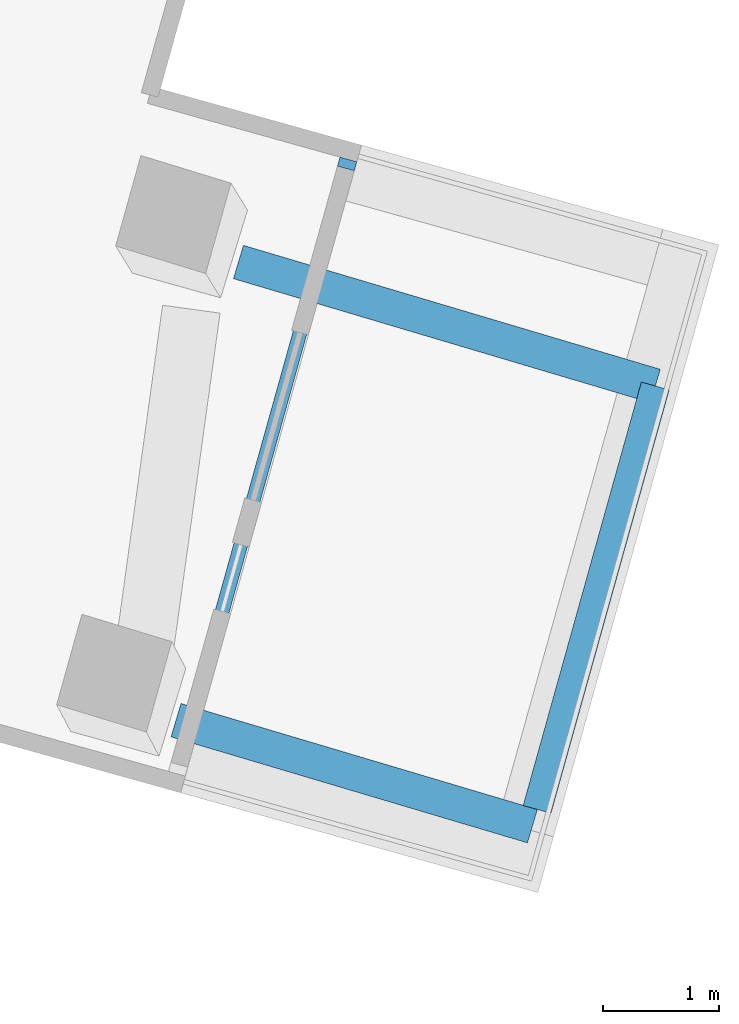
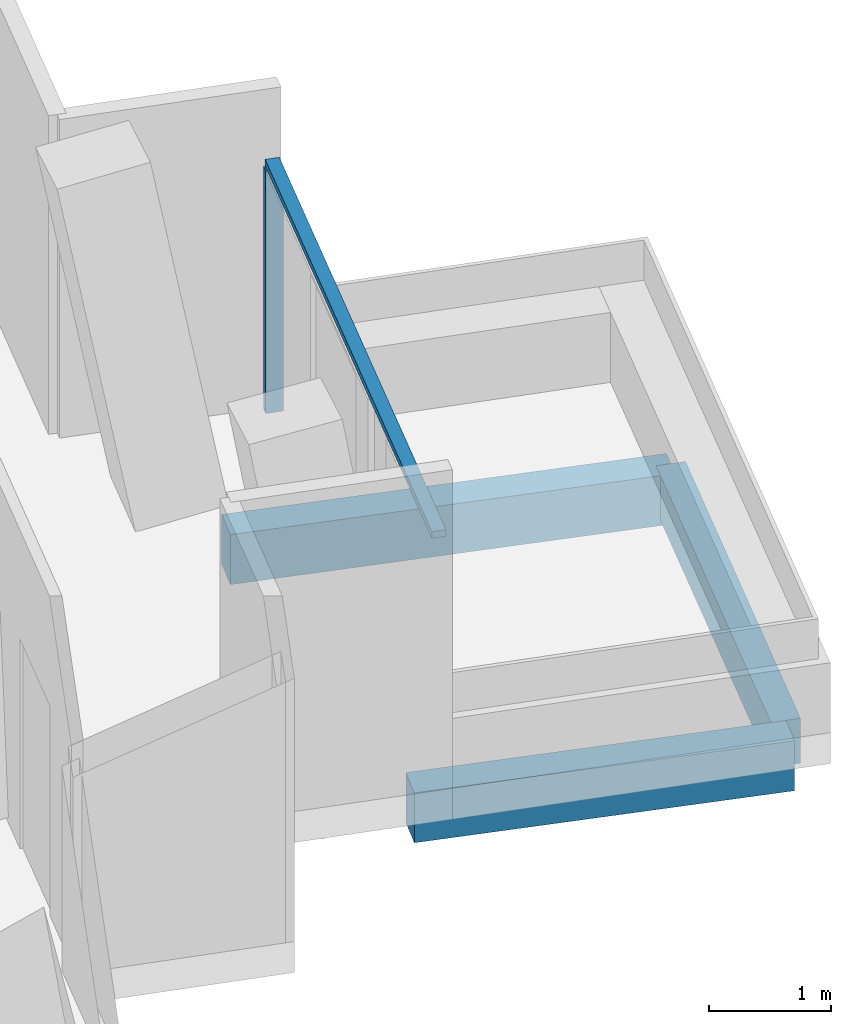
# One storey, part 11 of 26: 3 beams, 2 members, 1 element without a shape of its own.
"""IFC4 building model written with IfcOpenShell, lengths in metres."""

from ifc_helpers import new_model, si_unit, direction, frame, origin, origin_2d, place, context, subcontext, project, spatial, rectangle, extrude, material, layer, layer_set, material_profile, profile_set, type_object, element, aggregate, save


model = new_model("IFC4")

# Units and contexts
model_context = context("Model", 3, precision=1e-05, world=origin(), true_north=direction((0.0, 1.0)))
body_context = subcontext(model_context, "Body", "Model", "MODEL_VIEW")
ifc_project = project(units=[si_unit("LENGTHUNIT", "METRE"), si_unit("AREAUNIT", "SQUARE_METRE"), si_unit("VOLUMEUNIT", "CUBIC_METRE"), si_unit("PLANEANGLEUNIT", "RADIAN"), si_unit("MASSUNIT", "GRAM", prefix="KILO")], contexts=[model_context])

# Site, building, storey
site_placement = place(None, origin())
site = spatial("IfcSite", under=ifc_project, at=site_placement, CompositionType="ELEMENT")
building_placement = place(site_placement, origin())
building = spatial("IfcBuilding", under=site, at=building_placement, Name="Verdalira Terraces Hotel", CompositionType="ELEMENT")
storey_placement = place(building_placement, frame((0.0, 0.0, 93.0)))
storey = spatial("IfcBuildingStorey", under=building, at=storey_placement, Name="L21", CompositionType="ELEMENT", Elevation=93.0)

# Beams
ifc_material_1 = material(Name="Concrete C40", Category="concrete")
ifc_material_profile_1 = material_profile(ifc_material_1, rectangle(XDim=0.300049, YDim=0.5, at=origin_2d()), Name="RC 300X500")
ifc_profile_set_1 = profile_set([ifc_material_profile_1], Name="Concrete C40")
beam_type_1 = type_object("IfcBeamType", Name="Balcony cantilever beam RC 300X500 C40", PredefinedType="BEAM", material=ifc_profile_set_1)
beam_1_placement = place(storey_placement, frame((32.104248, -11.359131, -0.560059), z_axis=(0.958508809, -0.285062911, 0.0), x_axis=(0.285062911, 0.958508809, 0.0)))
element("IfcBeam", 1, at=beam_1_placement, inside=storey, type_object=beam_type_1, Name="Balcony cantilever beam R33-1", PredefinedType="BEAM", context=body_context, shape_type="SweptSolid", body=[
    extrude(rectangle(XDim=0.300049, YDim=0.5, at=origin_2d()), origin(), (0.0, 0.0, 1.0), 3.206543),
])
beam_2_placement = place(storey_placement, frame((32.642578, -7.407715, -0.560059), z_axis=(0.958536356, -0.284970268, 0.0), x_axis=(0.284970268, 0.958536356, 0.0)))
element("IfcBeam", 2, at=beam_2_placement, inside=storey, type_object=beam_type_1, Name="Balcony cantilever beam R33-2", PredefinedType="BEAM", context=body_context, shape_type="SweptSolid", body=[
    extrude(rectangle(XDim=0.300049, YDim=0.5, at=origin_2d()), origin(), (0.0, 0.0, 1.0), 3.750732),
])
ifc_material_2 = material(Name="Concrete C40", Category="concrete")
ifc_material_profile_2 = material_profile(ifc_material_2, rectangle(XDim=0.25, YDim=0.449951, at=origin_2d()), Name="RC 250X450")
ifc_profile_set_2 = profile_set([ifc_material_profile_2], Name="Concrete C40")
beam_type_2 = type_object("IfcBeamType", Name="Balcony edge beam RC 250X450 C40", PredefinedType="BEAM", material=ifc_profile_set_2)
beam_3_placement = place(storey_placement, frame((35.218018, -12.128662, -0.534912), z_axis=(0.268942049, 0.96315636, 0.0), x_axis=(-0.96315636, 0.268942049, 0.0)))
element("IfcBeam", 3, at=beam_3_placement, inside=storey, type_object=beam_type_2, Name="Balcony edge beam R33-1", PredefinedType="BEAM", context=body_context, shape_type="SweptSolid", body=[
    extrude(rectangle(XDim=0.25, YDim=0.449951, at=origin_2d()), origin(), (0.0, 0.0, 1.0), 3.791748),
])

# Curtain wall, members
ifc_material_3 = material(Name="Clear glass", Category="glass")
ifc_layer = layer(ifc_material_3, 0.14990234375)
ifc_layer_set = layer_set([ifc_layer], Name="CW3 curtain wall")
curtain_wall_type = type_object("IfcCurtainWallType", Name="CW3 curtain wall", PredefinedType="NOTDEFINED", material=ifc_layer_set)
curtain_wall_placement = place(storey_placement, origin())
curtain_wall = element("IfcCurtainWall", 4, at=curtain_wall_placement, inside=storey, type_object=curtain_wall_type, Name="CW3 curtain wall L21 edge 33", PredefinedType="NOTDEFINED")
ifc_material_4 = material(Name="Terracotta frame", Category="masonry")
ifc_material_profile_3 = material_profile(ifc_material_4, rectangle(XDim=0.080078, YDim=0.149902, at=origin_2d()), Name="MU 80x150")
ifc_profile_set_3 = profile_set([ifc_material_profile_3], Name="Terracotta frame")
member_type_1 = type_object("IfcMemberType", Name="CW3 mullion 80x150", PredefinedType="MULLION", material=ifc_profile_set_3)
member_1_placement = place(storey_placement, frame((33.57959, -6.562012, 0.0), z_axis=(0.0, 0.0, 1.0), x_axis=(0.268919821, 0.963162567, 0.0)))
member_1 = element("IfcMember", 5, at=member_1_placement, type_object=member_type_1, Name="CW3 mullion", PredefinedType="MULLION", context=body_context, shape_type="SweptSolid", body=[
    extrude(rectangle(XDim=0.080078, YDim=0.149902, at=origin_2d()), origin(), (0.0, 0.0, 1.0), 2.425049),
])
ifc_material_5 = material(Name="Terracotta frame", Category="masonry")
ifc_material_profile_4 = material_profile(ifc_material_5, rectangle(XDim=0.120117, YDim=0.064941, at=origin_2d()), Name="TR 65x120")
ifc_profile_set_4 = profile_set([ifc_material_profile_4], Name="Terracotta frame")
member_type_2 = type_object("IfcMemberType", Name="CW3 transom 65x120", PredefinedType="USERDEFINED", material=ifc_profile_set_4)
member_2_placement = place(storey_placement, frame((32.111328, -11.820801, 2.45752), z_axis=(0.268911978, 0.963164757, 0.0), x_axis=(-0.963164757, 0.268911978, 0.0)))
member_2 = element("IfcMember", 6, at=member_2_placement, type_object=member_type_2, Name="CW3 transom", ObjectType="TRANSOM", PredefinedType="USERDEFINED", context=body_context, shape_type="SweptSolid", body=[
    extrude(rectangle(XDim=0.120117, YDim=0.064941, at=origin_2d()), origin(), (0.0, 0.0, 1.0), 5.5),
])
aggregate(curtain_wall, [member_1, member_2])

save(model, "model.ifc")
